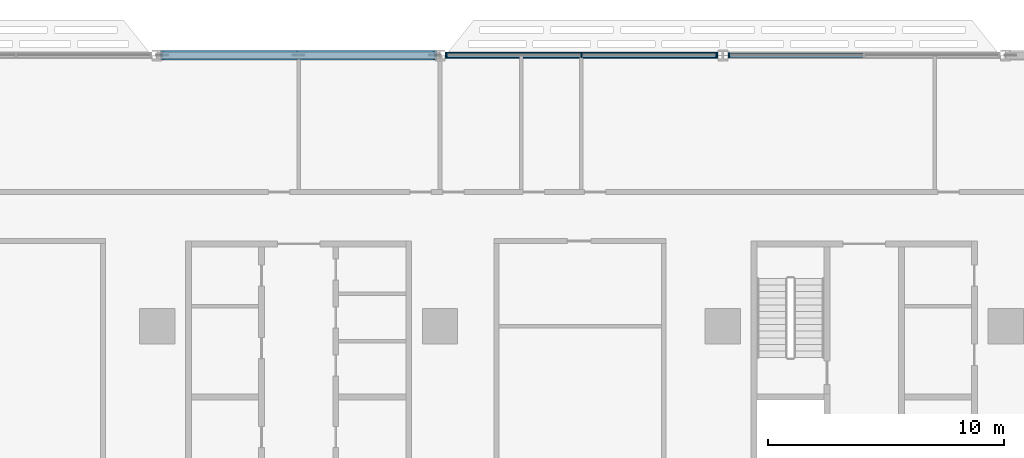
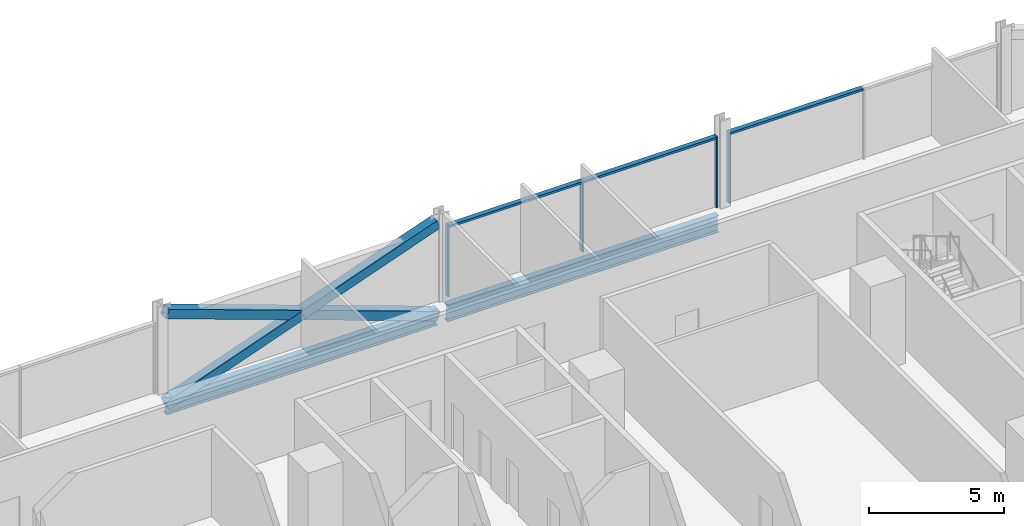
# One storey, part 7 of 29: 10 members, 2 beams, 2 elements without a shape of their own.
"""IFC4 building model written with IfcOpenShell, lengths in metres."""

from ifc_helpers import new_model, si_unit, direction, frame, origin, origin_2d, place, context, subcontext, project, spatial, rectangle, hollow_rectangle, i_section, extrude, material, material_profile, profile_set, type_object, element, aggregate, save


model = new_model("IFC4")

# Units and contexts
model_context = context("Model", 3, precision=1e-05, world=origin(), true_north=direction((0.0, 1.0)))
body_context = subcontext(model_context, "Body", "Model", "MODEL_VIEW")
ifc_project = project(units=[si_unit("LENGTHUNIT", "METRE"), si_unit("AREAUNIT", "SQUARE_METRE"), si_unit("VOLUMEUNIT", "CUBIC_METRE"), si_unit("PLANEANGLEUNIT", "RADIAN"), si_unit("MASSUNIT", "GRAM", prefix="KILO")], contexts=[model_context])

# Site, building, storey
site_placement = place(None, origin())
site = spatial("IfcSite", under=ifc_project, at=site_placement, CompositionType="ELEMENT")
building_placement = place(site_placement, origin())
building = spatial("IfcBuilding", under=site, at=building_placement, Name="Mahtab Terrace Research Tower", CompositionType="ELEMENT")
storey_placement = place(building_placement, frame((0.0, 0.0, 71.800048828125)))
storey = spatial("IfcBuildingStorey", under=building, at=storey_placement, Name="L16", CompositionType="ELEMENT", Elevation=71.800048828125)

# Members
ifc_material_1 = material(Name="Steel ASTM A500 Gr C", Category="steel")
ifc_material_profile_1 = material_profile(ifc_material_1, hollow_rectangle(XDim=0.406494140625, YDim=0.406494140625, WallThickness=0.01904296875, at=origin_2d()), Name="HSS16X16X3/4")
ifc_profile_set_1 = profile_set([ifc_material_profile_1], Name="Steel ASTM A500 Gr C")
member_type_1 = type_object("IfcMemberType", Name="HSS 16x16x3/4 brace XB161634", PredefinedType="BRACE", material=ifc_profile_set_1)
member_1_placement = place(storey_placement, frame((5.787841796875, 23.0, -0.642578125), z_axis=(-0.94138021482, 0.0, 0.33734743388), x_axis=(0.0, -1.0, 0.0)))
element("IfcMember", 1, at=member_1_placement, inside=storey, type_object=member_type_1, Name="Exoskeleton brace L16 05 a", PredefinedType="BRACE", context=body_context, shape_type="SweptSolid", body=[
    extrude(hollow_rectangle(XDim=0.406494140625, YDim=0.406494140625, WallThickness=0.01904296875, at=origin_2d()), origin(), (0.0, 0.0, 1.0), 12.29638671875),
])
for number, where, z_axis, x_axis, name in (
    (2, (-5.787841796875, 23.0, -0.642578125), (0.941386519928, 0.0, 0.337329838731), (0.0, 1.0, 0.0), "Exoskeleton brace L16 05 b1"),
    (3, (0.0, 23.0, 1.431396484375), (0.941373909467, 0.0, 0.337365028677), (0.0, 1.0, 0.0), "Exoskeleton brace L16 05 b2"),
):
    element("IfcMember", number, at=place(storey_placement, frame(where, z_axis=z_axis, x_axis=x_axis)), inside=storey, type_object=member_type_1, Name=name, PredefinedType="BRACE", context=body_context, shape_type="SweptSolid", body=[
        extrude(hollow_rectangle(XDim=0.406494140625, YDim=0.406494140625, WallThickness=0.01904296875, at=origin_2d()), origin(), (0.0, 0.0, 1.0), 6.148193359375),
    ])

# Curtain wall, member
ifc_material_2 = material(Name="Laboratory ribbon curtain wall")
curtain_wall_type = type_object("IfcCurtainWallType", Name="Laboratory ribbon curtain wall", PredefinedType="NOTDEFINED", material=ifc_material_2)
curtain_wall_1_placement = place(storey_placement, origin())
curtain_wall_1 = element("IfcCurtainWall", 4, at=curtain_wall_1_placement, inside=storey, type_object=curtain_wall_type, Name="EN.L16.3.5", PredefinedType="NOTDEFINED")
ifc_material_3 = material(Name="Natural anodised aluminium", Category="aluminium")
ifc_material_profile_2 = material_profile(ifc_material_3, rectangle(XDim=0.199951171875, YDim=0.06494140625, at=origin_2d()), Name="MULLION 65x200")
ifc_profile_set_2 = profile_set([ifc_material_profile_2], Name="Natural anodised aluminium")
member_type_2 = type_object("IfcMemberType", Name="Laboratory ribbon curtain wall mullion", PredefinedType="MULLION", material=ifc_profile_set_2)
member_2_placement = place(storey_placement, frame((18.2705078125, 23.0, 0.0), z_axis=(0.0, 0.0, 1.0), x_axis=(0.0, -1.0, 0.0)))
member_2 = element("IfcMember", 5, at=member_2_placement, type_object=member_type_2, Name="CWL-2 mullion 3", PredefinedType="MULLION", context=body_context, shape_type="SweptSolid", body=[
    extrude(rectangle(XDim=0.199951171875, YDim=0.06494140625, at=origin_2d()), origin(), (0.0, 0.0, 1.0), 3.203125),
])

# Curtain wall, members
curtain_wall_2_placement = place(storey_placement, origin())
curtain_wall_2 = element("IfcCurtainWall", 6, at=curtain_wall_2_placement, inside=storey, type_object=curtain_wall_type, Name="EN.L16.3.6", PredefinedType="NOTDEFINED")
member_3_placement = place(storey_placement, frame((17.7294921875, 23.0, 0.0), z_axis=(0.0, 0.0, 1.0), x_axis=(0.0, -1.0, 0.0)))
member_3 = element("IfcMember", 7, at=member_3_placement, type_object=member_type_2, Name="CWL-2 mullion 1", PredefinedType="MULLION", context=body_context, shape_type="SweptSolid", body=[
    extrude(rectangle(XDim=0.199951171875, YDim=0.06494140625, at=origin_2d()), origin(), (0.0, 0.0, 1.0), 3.203125),
])
member_4_placement = place(storey_placement, frame((12.0, 23.0, 0.0), z_axis=(0.0, 0.0, 1.0), x_axis=(0.0, -1.0, 0.0)))
member_4 = element("IfcMember", 8, at=member_4_placement, type_object=member_type_2, Name="CWL-2 mullion 2", PredefinedType="MULLION", context=body_context, shape_type="SweptSolid", body=[
    extrude(rectangle(XDim=0.199951171875, YDim=0.06494140625, at=origin_2d()), origin(), (0.0, 0.0, 1.0), 3.203125),
])
member_5_placement = place(storey_placement, frame((6.2705078125, 23.0, 0.0), z_axis=(0.0, 0.0, 1.0), x_axis=(0.0, -1.0, 0.0)))
member_5 = element("IfcMember", 9, at=member_5_placement, type_object=member_type_2, Name="CWL-2 mullion 3", PredefinedType="MULLION", context=body_context, shape_type="SweptSolid", body=[
    extrude(rectangle(XDim=0.199951171875, YDim=0.06494140625, at=origin_2d()), origin(), (0.0, 0.0, 1.0), 3.203125),
])

# Member
ifc_material_profile_3 = material_profile(ifc_material_3, rectangle(XDim=0.199951171875, YDim=0.10009765625, at=origin_2d()), Name="TRANSOM 100x200")
ifc_profile_set_3 = profile_set([ifc_material_profile_3], Name="Natural anodised aluminium")
member_type_3 = type_object("IfcMemberType", Name="Laboratory ribbon curtain wall transom", PredefinedType="USERDEFINED", material=ifc_profile_set_3)
member_6_placement = place(storey_placement, frame((23.967529296875, 23.0, 3.153076171875), z_axis=(-1.0, 0.0, 0.0), x_axis=(0.0, -1.0, 0.0)))
member_6 = element("IfcMember", 10, at=member_6_placement, type_object=member_type_3, Name="CWL-2 transom 2", ObjectType="TRANSOM", PredefinedType="USERDEFINED", context=body_context, shape_type="SweptSolid", body=[
    extrude(rectangle(XDim=0.199951171875, YDim=0.10009765625, at=origin_2d()), origin(), (0.0, 0.0, 1.0), 5.66455078125),
])

aggregate(curtain_wall_1, [member_2, member_6])

member_7_placement = place(storey_placement, frame((17.697021484375, 23.0, 3.153076171875), z_axis=(-1.0, 0.0, 0.0), x_axis=(0.0, -1.0, 0.0)))
member_7 = element("IfcMember", 11, at=member_7_placement, type_object=member_type_3, Name="CWL-2 transom 1", ObjectType="TRANSOM", PredefinedType="USERDEFINED", context=body_context, shape_type="SweptSolid", body=[
    extrude(rectangle(XDim=0.199951171875, YDim=0.10009765625, at=origin_2d()), origin(), (0.0, 0.0, 1.0), 5.66455078125),
])

member_8_placement = place(storey_placement, frame((11.967529296875, 23.0, 3.153076171875), z_axis=(-1.0, 0.0, 0.0), x_axis=(0.0, -1.0, 0.0)))
member_8 = element("IfcMember", 12, at=member_8_placement, type_object=member_type_3, Name="CWL-2 transom 2", ObjectType="TRANSOM", PredefinedType="USERDEFINED", context=body_context, shape_type="SweptSolid", body=[
    extrude(rectangle(XDim=0.199951171875, YDim=0.10009765625, at=origin_2d()), origin(), (0.0, 0.0, 1.0), 5.66455078125),
])

aggregate(curtain_wall_2, [member_3, member_4, member_5, member_7, member_8])

# Beams
ifc_material_4 = material(Name="Steel ASTM A992 Gr 50", Category="steel")
ifc_material_profile_4 = material_profile(ifc_material_4, i_section(OverallWidth=0.2666015625, OverallDepth=0.7568359375, WebThickness=0.013916015625, FlangeThickness=0.019287109375, at=origin_2d()), Name="W30X108")
ifc_profile_set_4 = profile_set([ifc_material_profile_4], Name="Steel ASTM A992 Gr 50")
beam_type = type_object("IfcBeamType", Name="W30x108 beam BS30108", PredefinedType="BEAM", material=ifc_profile_set_4)
for number, where, z_axis, x_axis, name in (
    (13, (17.787841796875, 23.0, -0.718505859375), (-1.0, 0.0, 0.0), (0.0, -1.0, 0.0), "Spandrel beam L16 04"),
    (14, (5.787841796875, 23.0, -0.718505859375), (-1.0, 0.0, 0.0), (0.0, -1.0, 0.0), "Spandrel beam L16 05"),
):
    element("IfcBeam", number, at=place(storey_placement, frame(where, z_axis=z_axis, x_axis=x_axis)), inside=storey, type_object=beam_type, Name=name, PredefinedType="BEAM", context=body_context, shape_type="SweptSolid", body=[
        extrude(i_section(OverallWidth=0.2666015625, OverallDepth=0.7568359375, WebThickness=0.013916015625, FlangeThickness=0.019287109375, at=origin_2d()), origin(), (0.0, 0.0, 1.0), 11.57568359375),
    ])

save(model, "model.ifc")
